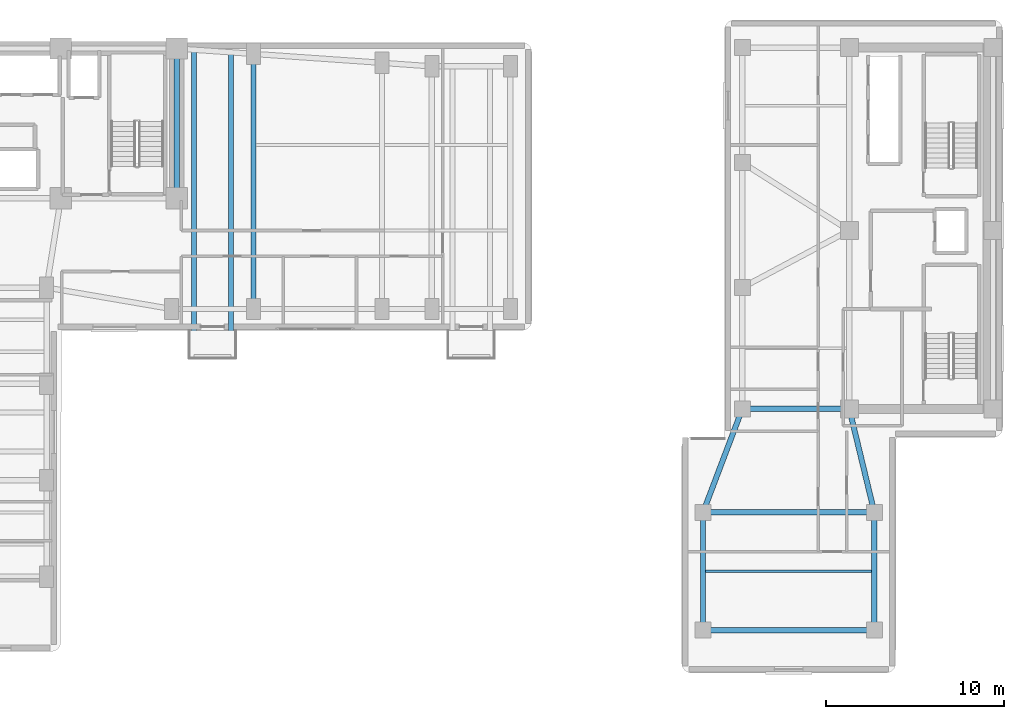
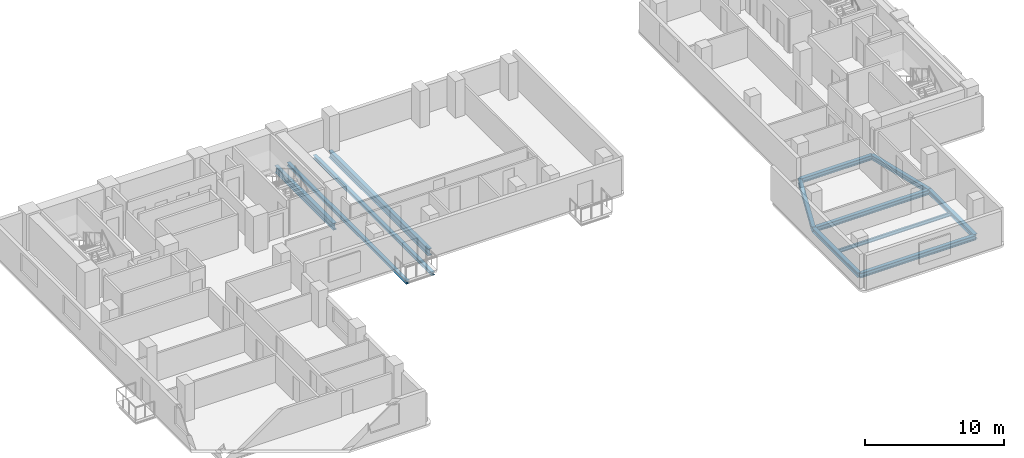
# One storey, part 5 of 14: 12 beams.
"""IFC4 building model written with IfcOpenShell, lengths in metres."""

from ifc_helpers import new_model, si_unit, direction, frame, origin, origin_2d, place, context, subcontext, project, spatial, i_section, extrude, material, material_profile, profile_set, type_object, element, save


model = new_model("IFC4")

# Units and contexts
model_context = context("Model", 3, precision=1e-05, world=origin(), true_north=direction((0.0, 1.0)))
body_context = subcontext(model_context, "Body", "Model", "MODEL_VIEW")
ifc_project = project(units=[si_unit("LENGTHUNIT", "METRE"), si_unit("AREAUNIT", "SQUARE_METRE"), si_unit("VOLUMEUNIT", "CUBIC_METRE"), si_unit("PLANEANGLEUNIT", "RADIAN"), si_unit("MASSUNIT", "GRAM", prefix="KILO")], contexts=[model_context])

# Site, building, storey
site_placement = place(None, origin())
site = spatial("IfcSite", under=ifc_project, at=site_placement, CompositionType="ELEMENT")
building_placement = place(site_placement, origin())
building = spatial("IfcBuilding", under=site, at=building_placement, Name="Kuzgunbayir Cultural Tower", CompositionType="ELEMENT")
storey_placement = place(building_placement, frame((0.0, 0.0, 69.199951171875)))
storey = spatial("IfcBuildingStorey", under=building, at=storey_placement, Name="L19", CompositionType="ELEMENT", Elevation=69.199951171875)

# Beams
ifc_material = material(Name="Steel S355J2", Category="steel")
ifc_material_profile_1 = material_profile(ifc_material, i_section(OverallWidth=0.280029296875, OverallDepth=0.280029296875, WebThickness=0.010498046875, FlangeThickness=0.01806640625, FilletRadius=0.02392578125, at=origin_2d()), Name="HEB 280")
ifc_profile_set_1 = profile_set([ifc_material_profile_1], Name="Steel S355J2")
beam_type_1 = type_object("IfcBeamType", Name="BM-BAL-HEB280", PredefinedType="BEAM", material=ifc_profile_set_1)
beam_1_placement = place(storey_placement, frame((27.85009765625, 24.9599609375, -0.33984375), z_axis=(0.0, 1.0, 0.0), x_axis=(-1.0, 0.0, 0.0)))
element("IfcBeam", 1, at=beam_1_placement, inside=storey, type_object=beam_type_1, Name="L19 Balcony Outrigger Beam BAL-L19-WB1.1", PredefinedType="BEAM", context=body_context, shape_type="SweptSolid", body=[
    extrude(i_section(OverallWidth=0.280029296875, OverallDepth=0.280029296875, WebThickness=0.010498046875, FlangeThickness=0.01806640625, FilletRadius=0.02392578125, at=origin_2d()), origin(), (0.0, 0.0, 1.0), 17.169921875),
])
beam_2_placement = place(storey_placement, frame((29.949951171875, 24.9599609375, -0.33984375), z_axis=(0.0, 1.0, 0.0), x_axis=(-1.0, 0.0, 0.0)))
element("IfcBeam", 2, at=beam_2_placement, inside=storey, type_object=beam_type_1, Name="L19 Balcony Outrigger Beam BAL-L19-WB1.2", PredefinedType="BEAM", context=body_context, shape_type="SweptSolid", body=[
    extrude(i_section(OverallWidth=0.280029296875, OverallDepth=0.280029296875, WebThickness=0.010498046875, FlangeThickness=0.01806640625, FilletRadius=0.02392578125, at=origin_2d()), origin(), (0.0, 0.0, 1.0), 17.030029296875),
])
ifc_material_profile_2 = material_profile(ifc_material, i_section(OverallWidth=0.300048828125, OverallDepth=0.39990234375, WebThickness=0.013427734375, FlangeThickness=0.02392578125, FilletRadius=0.027099609375, at=origin_2d()), Name="HEB 400")
ifc_profile_set_2 = profile_set([ifc_material_profile_2], Name="Steel S355J2")
beam_type_2 = type_object("IfcBeamType", Name="BM-EXT-HEB400", PredefinedType="BEAM", material=ifc_profile_set_2)
beam_3_placement = place(storey_placement, frame((56.39990234375, 9.60009765625, -0.3798828125), z_axis=(0.0, 1.0, 0.0), x_axis=(-1.0, 0.0, 0.0)))
element("IfcBeam", 3, at=beam_3_placement, inside=storey, type_object=beam_type_2, Name="L19 Companion Wing B West Girder", PredefinedType="BEAM", context=body_context, shape_type="SweptSolid", body=[
    extrude(i_section(OverallWidth=0.300048828125, OverallDepth=0.39990234375, WebThickness=0.013427734375, FlangeThickness=0.02392578125, FilletRadius=0.027099609375, at=origin_2d()), origin(), (0.0, 0.0, 1.0), 6.599853515625),
])
beam_4_placement = place(storey_placement, frame((56.39990234375, 16.199951171875, -0.3798828125), z_axis=(0.354679148754, 0.93498807556, 0.0), x_axis=(-0.93498807556, 0.354679148754, 0.0)))
element("IfcBeam", 4, at=beam_4_placement, inside=storey, type_object=beam_type_2, Name="L19 Companion Wing B Floor Girder W", PredefinedType="BEAM", context=body_context, shape_type="SweptSolid", body=[
    extrude(i_section(OverallWidth=0.300048828125, OverallDepth=0.39990234375, WebThickness=0.013427734375, FlangeThickness=0.02392578125, FilletRadius=0.027099609375, at=origin_2d()), origin(), (0.0, 0.0, 1.0), 6.203369140625),
])
beam_5_placement = place(storey_placement, frame((66.0, 9.60009765625, -0.3798828125), z_axis=(0.0, 1.0, 0.0), x_axis=(-1.0, 0.0, 0.0)))
element("IfcBeam", 5, at=beam_5_placement, inside=storey, type_object=beam_type_2, Name="L19 Companion Wing B East Girder", PredefinedType="BEAM", context=body_context, shape_type="SweptSolid", body=[
    extrude(i_section(OverallWidth=0.300048828125, OverallDepth=0.39990234375, WebThickness=0.013427734375, FlangeThickness=0.02392578125, FilletRadius=0.027099609375, at=origin_2d()), origin(), (0.0, 0.0, 1.0), 6.599853515625),
])
beam_6_placement = place(storey_placement, frame((66.0, 16.199951171875, -0.3798828125), z_axis=(-0.234623200431, 0.972086392158, 0.0), x_axis=(-0.972086392158, -0.234623200431, 0.0)))
element("IfcBeam", 6, at=beam_6_placement, inside=storey, type_object=beam_type_2, Name="L19 Companion Wing B Floor Girder E", PredefinedType="BEAM", context=body_context, shape_type="SweptSolid", body=[
    extrude(i_section(OverallWidth=0.300048828125, OverallDepth=0.39990234375, WebThickness=0.013427734375, FlangeThickness=0.02392578125, FilletRadius=0.027099609375, at=origin_2d()), origin(), (0.0, 0.0, 1.0), 5.966552734375),
])
beam_7_placement = place(storey_placement, frame((56.39990234375, 9.60009765625, -0.3798828125), z_axis=(1.0, 0.0, 0.0), x_axis=(0.0, 1.0, 0.0)))
element("IfcBeam", 7, at=beam_7_placement, inside=storey, type_object=beam_type_2, Name="L19 Companion Wing B South Girder", PredefinedType="BEAM", context=body_context, shape_type="SweptSolid", body=[
    extrude(i_section(OverallWidth=0.300048828125, OverallDepth=0.39990234375, WebThickness=0.013427734375, FlangeThickness=0.02392578125, FilletRadius=0.027099609375, at=origin_2d()), origin(), (0.0, 0.0, 1.0), 9.60009765625),
])
ifc_material_profile_3 = material_profile(ifc_material, i_section(OverallWidth=0.300048828125, OverallDepth=0.39990234375, WebThickness=0.013427734375, FlangeThickness=0.02392578125, FilletRadius=0.027099609375, at=origin_2d()), Name="HEB 400")
ifc_profile_set_3 = profile_set([ifc_material_profile_3], Name="Steel S355J2")
beam_type_3 = type_object("IfcBeamType", Name="BM-GIR-HEB400", PredefinedType="BEAM", material=ifc_profile_set_3)
beam_8_placement = place(storey_placement, frame((58.60009765625, 22.0, -0.3798828125), z_axis=(1.0, 0.0, 0.0), x_axis=(0.0, 1.0, 0.0)))
element("IfcBeam", 8, at=beam_8_placement, inside=storey, type_object=beam_type_3, Name="L19 Companion Transverse Girder 1", PredefinedType="BEAM", context=body_context, shape_type="SweptSolid", body=[
    extrude(i_section(OverallWidth=0.300048828125, OverallDepth=0.39990234375, WebThickness=0.013427734375, FlangeThickness=0.02392578125, FilletRadius=0.027099609375, at=origin_2d()), origin(), (0.0, 0.0, 1.0), 6.0),
])
beam_9_placement = place(storey_placement, frame((56.39990234375, 16.199951171875, -0.3798828125), z_axis=(1.0, 0.0, 0.0), x_axis=(0.0, 1.0, 0.0)))
element("IfcBeam", 9, at=beam_9_placement, inside=storey, type_object=beam_type_3, Name="L19 Companion Wing B Mid Girder", PredefinedType="BEAM", context=body_context, shape_type="SweptSolid", body=[
    extrude(i_section(OverallWidth=0.300048828125, OverallDepth=0.39990234375, WebThickness=0.013427734375, FlangeThickness=0.02392578125, FilletRadius=0.027099609375, at=origin_2d()), origin(), (0.0, 0.0, 1.0), 9.60009765625),
])
ifc_material_profile_4 = material_profile(ifc_material, i_section(OverallWidth=0.300048828125, OverallDepth=0.60009765625, WebThickness=0.015380859375, FlangeThickness=0.030029296875, FilletRadius=0.027099609375, at=origin_2d()), Name="HEB 600")
ifc_profile_set_4 = profile_set([ifc_material_profile_4], Name="Steel S355J2")
beam_type_4 = type_object("IfcBeamType", Name="BM-GIR-HEB600", PredefinedType="BEAM", material=ifc_profile_set_4)
beam_10_placement = place(storey_placement, frame((26.89990234375, 33.800048828125, -0.47998046875), z_axis=(0.0, 1.0, 0.0), x_axis=(-1.0, 0.0, 0.0)))
element("IfcBeam", 10, at=beam_10_placement, inside=storey, type_object=beam_type_4, Name="L19 Core East Edge Girder", PredefinedType="BEAM", context=body_context, shape_type="SweptSolid", body=[
    extrude(i_section(OverallWidth=0.300048828125, OverallDepth=0.60009765625, WebThickness=0.015380859375, FlangeThickness=0.030029296875, FilletRadius=0.027099609375, at=origin_2d()), origin(), (0.0, 0.0, 1.0), 8.39990234375),
])
beam_11_placement = place(storey_placement, frame((31.199951171875, 27.60009765625, -0.47998046875), z_axis=(0.0, 1.0, 0.0), x_axis=(-1.0, 0.0, 0.0)))
element("IfcBeam", 11, at=beam_11_placement, inside=storey, type_object=beam_type_4, Name="L19 Wing B Cross Girder 31", PredefinedType="BEAM", context=body_context, shape_type="SweptSolid", body=[
    extrude(i_section(OverallWidth=0.300048828125, OverallDepth=0.60009765625, WebThickness=0.015380859375, FlangeThickness=0.030029296875, FilletRadius=0.027099609375, at=origin_2d()), origin(), (0.0, 0.0, 1.0), 14.2998046875),
])
ifc_material_profile_5 = material_profile(ifc_material, i_section(OverallWidth=0.14990234375, OverallDepth=0.300048828125, WebThickness=0.007080078125, FlangeThickness=0.0107421875, FilletRadius=0.014892578125, at=origin_2d()), Name="IPE 300")
ifc_profile_set_5 = profile_set([ifc_material_profile_5], Name="Steel S355J2")
beam_type_5 = type_object("IfcBeamType", Name="BM-JST-IPE300", PredefinedType="JOIST", material=ifc_profile_set_5)
beam_12_placement = place(storey_placement, frame((56.550048828125, 12.89990234375, -0.329833984375), z_axis=(1.0, 0.0, 0.0), x_axis=(0.0, 1.0, 0.0)))
element("IfcBeam", 12, at=beam_12_placement, inside=storey, type_object=beam_type_5, Name="L19 Companion Wing B Joist", PredefinedType="JOIST", context=body_context, shape_type="SweptSolid", body=[
    extrude(i_section(OverallWidth=0.14990234375, OverallDepth=0.300048828125, WebThickness=0.007080078125, FlangeThickness=0.0107421875, FilletRadius=0.014892578125, at=origin_2d()), origin(), (0.0, 0.0, 1.0), 9.300048828125),
])

save(model, "model.ifc")
